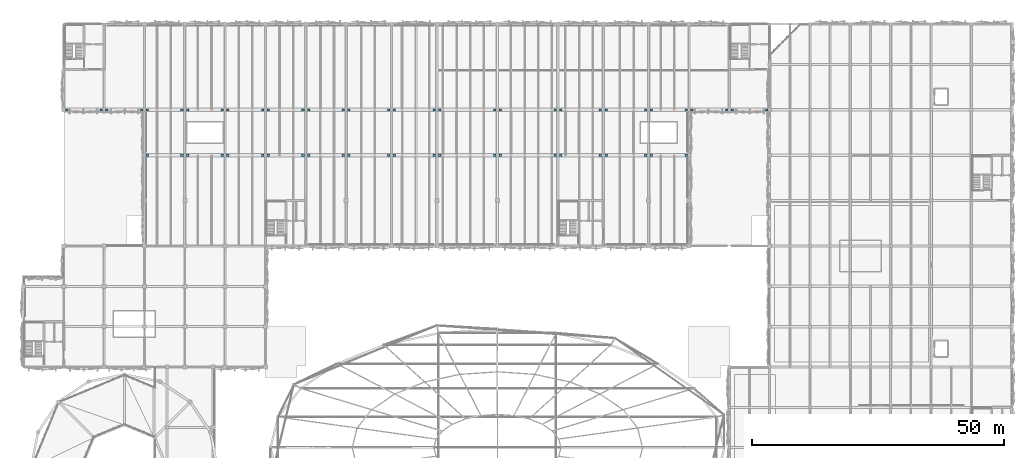
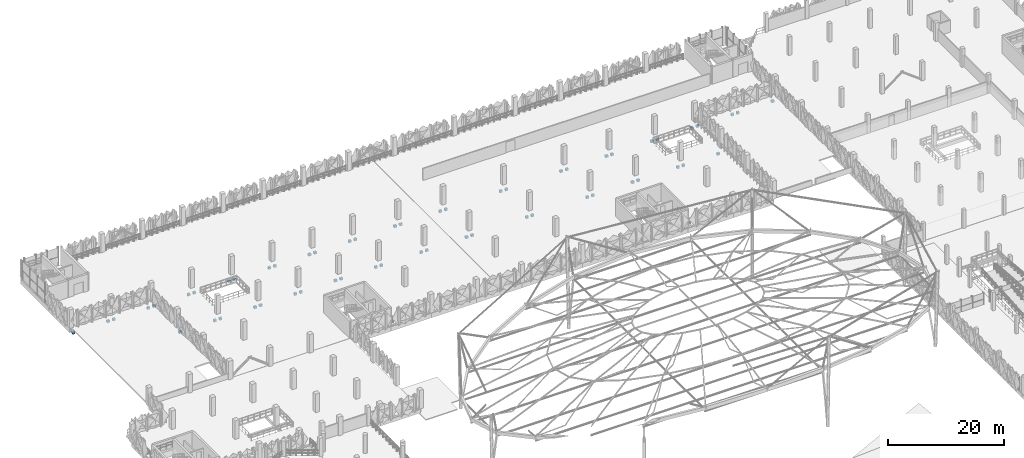
# One storey, part 62 of 96: 56 discrete accessories.
"""IFC4 building model written with IfcOpenShell, lengths in metres."""

from ifc_helpers import new_model, si_unit, derived_unit, direction, frame, origin, origin_2d, place, context, subcontext, project, spatial, rectangle, extrude, material, type_object, element, save


model = new_model("IFC4")

# Units and contexts
model_context = context("Model", 3, precision=1e-05, world=origin(), true_north=direction((0.0, 1.0)))
body_context = subcontext(model_context, "Body", "Model", "MODEL_VIEW")
ifc_project = project(units=[si_unit("LENGTHUNIT", "METRE"), si_unit("AREAUNIT", "SQUARE_METRE"), si_unit("VOLUMEUNIT", "CUBIC_METRE"), si_unit("PLANEANGLEUNIT", "RADIAN"), si_unit("MASSUNIT", "GRAM", prefix="KILO"), si_unit("THERMODYNAMICTEMPERATUREUNIT", "KELVIN"), derived_unit("THERMALTRANSMITTANCEUNIT", [(si_unit("POWERUNIT", "WATT"), 1), (si_unit("AREAUNIT", "SQUARE_METRE"), -1), (si_unit("THERMODYNAMICTEMPERATUREUNIT", "KELVIN"), -1)])], contexts=[model_context])

# Site, building, storey
site_placement = place(None, origin())
site = spatial("IfcSite", under=ifc_project, at=site_placement, CompositionType="ELEMENT")
building_placement = place(site_placement, origin())
building = spatial("IfcBuilding", under=site, at=building_placement, Name="Haiyu Intermodal Mobility Hub", CompositionType="ELEMENT")
storey_placement = place(building_placement, frame((0.0, 0.0, 9.5)))
storey = spatial("IfcBuildingStorey", under=building, at=storey_placement, Name="L02", CompositionType="ELEMENT", Elevation=9.5)

# Discrete accessories
ifc_material = material(Name="Precast concrete C50", Category="concrete")
discrete_accessory_type = type_object("IfcDiscreteAccessoryType", Name="ACC-BK01", PredefinedType="BRACKET", material=ifc_material)
for number, where, z_axis, x_axis, name in (
    (1, (38.550048828125, 122.0, -1.60498046875), (0.0, 0.0, 1.0), (1.0, 0.0, 0.0), "BRK-IT-0065"),
    (2, (45.449951171875, 122.0, -1.60498046875), (0.0, 0.0, 1.0), (1.0, 0.0, 0.0), "BRK-IT-0066"),
    (3, (46.550048828125, 122.0, -1.60498046875), (0.0, 0.0, 1.0), (1.0, 0.0, 0.0), "BRK-IT-0067"),
    (4, (53.449951171875, 122.0, -1.60498046875), (0.0, 0.0, 1.0), (1.0, 0.0, 0.0), "BRK-IT-0068"),
    (5, (54.550048828125, 122.0, -1.60498046875), (0.0, 0.0, 1.0), (1.0, 0.0, 0.0), "BRK-IT-0069"),
    (6, (61.449951171875, 122.0, -1.60498046875), (0.0, 0.0, 1.0), (1.0, 0.0, 0.0), "BRK-IT-0070"),
    (7, (62.550048828125, 122.0, -1.60498046875), (0.0, 0.0, 1.0), (1.0, 0.0, 0.0), "BRK-IT-0071"),
    (8, (69.449951171875, 122.0, -1.60498046875), (0.0, 0.0, 1.0), (1.0, 0.0, 0.0), "BRK-IT-0072"),
    (9, (70.550048828125, 122.0, -1.60498046875), (0.0, 0.0, 1.0), (1.0, 0.0, 0.0), "BRK-IT-0073"),
    (10, (77.449951171875, 122.0, -1.60498046875), (0.0, 0.0, 1.0), (1.0, 0.0, 0.0), "BRK-IT-0074"),
    (11, (78.550048828125, 122.0, -1.60498046875), (0.0, 0.0, 1.0), (1.0, 0.0, 0.0), "BRK-IT-0075"),
    (12, (86.449951171875, 122.0, -1.60498046875), (0.0, 0.0, 1.0), (1.0, 0.0, 0.0), "BRK-IT-0076"),
    (13, (87.550048828125, 122.0, -1.60498046875), (0.0, 0.0, 1.0), (1.0, 0.0, 0.0), "BRK-IT-0077"),
    (14, (95.449951171875, 122.0, -1.60498046875), (0.0, 0.0, 1.0), (1.0, 0.0, 0.0), "BRK-IT-0078"),
    (15, (96.550048828125, 122.0, -1.60498046875), (0.0, 0.0, 1.0), (1.0, 0.0, 0.0), "BRK-IT-0079"),
    (16, (107.449951171875, 122.0, -1.60498046875), (0.0, 0.0, 1.0), (1.0, 0.0, 0.0), "BRK-IT-0080"),
    (17, (108.550048828125, 122.0, -1.60498046875), (0.0, 0.0, 1.0), (1.0, 0.0, 0.0), "BRK-IT-0081"),
    (18, (119.449951171875, 122.0, -1.60498046875), (0.0, 0.0, 1.0), (1.0, 0.0, 0.0), "BRK-IT-0082"),
    (19, (120.550048828125, 122.0, -1.60498046875), (0.0, 0.0, 1.0), (1.0, 0.0, 0.0), "BRK-IT-0083"),
    (20, (128.449951171875, 122.0, -1.60498046875), (0.0, 0.0, 1.0), (1.0, 0.0, 0.0), "BRK-IT-0084"),
    (21, (129.550048828125, 122.0, -1.60498046875), (0.0, 0.0, 1.0), (1.0, 0.0, 0.0), "BRK-IT-0085"),
    (22, (137.449951171875, 122.0, -1.60498046875), (0.0, 0.0, 1.0), (1.0, 0.0, 0.0), "BRK-IT-0086"),
    (23, (138.550048828125, 122.0, -1.60498046875), (0.0, 0.0, 1.0), (1.0, 0.0, 0.0), "BRK-IT-0087"),
    (24, (145.449951171875, 122.0, -1.60498046875), (0.0, 0.0, 1.0), (1.0, 0.0, 0.0), "BRK-IT-0088"),
    (25, (22.550048828125, 131.0, -1.60498046875), (0.0, 0.0, 1.0), (1.0, 0.0, 0.0), "BRK-IT-0089"),
    (26, (29.449951171875, 131.0, -1.60498046875), (0.0, 0.0, 1.0), (1.0, 0.0, 0.0), "BRK-IT-0090"),
    (27, (30.550048828125, 131.0, -1.60498046875), (0.0, 0.0, 1.0), (1.0, 0.0, 0.0), "BRK-IT-0091"),
    (28, (37.449951171875, 131.0, -1.60498046875), (0.0, 0.0, 1.0), (1.0, 0.0, 0.0), "BRK-IT-0092"),
    (29, (38.550048828125, 131.0, -1.60498046875), (0.0, 0.0, 1.0), (1.0, 0.0, 0.0), "BRK-IT-0093"),
    (30, (45.449951171875, 131.0, -1.60498046875), (0.0, 0.0, 1.0), (1.0, 0.0, 0.0), "BRK-IT-0094"),
    (31, (46.550048828125, 131.0, -1.60498046875), (0.0, 0.0, 1.0), (1.0, 0.0, 0.0), "BRK-IT-0095"),
    (32, (53.449951171875, 131.0, -1.60498046875), (0.0, 0.0, 1.0), (1.0, 0.0, 0.0), "BRK-IT-0096"),
    (33, (54.550048828125, 131.0, -1.60498046875), (0.0, 0.0, 1.0), (1.0, 0.0, 0.0), "BRK-IT-0097"),
    (34, (61.449951171875, 131.0, -1.60498046875), (0.0, 0.0, 1.0), (1.0, 0.0, 0.0), "BRK-IT-0098"),
    (35, (62.550048828125, 131.0, -1.60498046875), (0.0, 0.0, 1.0), (1.0, 0.0, 0.0), "BRK-IT-0099"),
    (36, (69.449951171875, 131.0, -1.60498046875), (0.0, 0.0, 1.0), (1.0, 0.0, 0.0), "BRK-IT-0100"),
    (37, (70.550048828125, 131.0, -1.60498046875), (0.0, 0.0, 1.0), (1.0, 0.0, 0.0), "BRK-IT-0101"),
    (38, (77.449951171875, 131.0, -1.60498046875), (0.0, 0.0, 1.0), (1.0, 0.0, 0.0), "BRK-IT-0102"),
    (39, (78.550048828125, 131.0, -1.60498046875), (0.0, 0.0, 1.0), (1.0, 0.0, 0.0), "BRK-IT-0103"),
    (40, (86.449951171875, 131.0, -1.60498046875), (0.0, 0.0, 1.0), (1.0, 0.0, 0.0), "BRK-IT-0104"),
    (41, (87.550048828125, 131.0, -1.60498046875), (0.0, 0.0, 1.0), (1.0, 0.0, 0.0), "BRK-IT-0105"),
    (42, (95.449951171875, 131.0, -1.60498046875), (0.0, 0.0, 1.0), (1.0, 0.0, 0.0), "BRK-IT-0106"),
    (43, (96.550048828125, 131.0, -1.60498046875), (0.0, 0.0, 1.0), (1.0, 0.0, 0.0), "BRK-IT-0107"),
    (44, (107.449951171875, 131.0, -1.60498046875), (0.0, 0.0, 1.0), (1.0, 0.0, 0.0), "BRK-IT-0108"),
    (45, (108.550048828125, 131.0, -1.60498046875), (0.0, 0.0, 1.0), (1.0, 0.0, 0.0), "BRK-IT-0109"),
    (46, (119.449951171875, 131.0, -1.60498046875), (0.0, 0.0, 1.0), (1.0, 0.0, 0.0), "BRK-IT-0110"),
    (47, (120.550048828125, 131.0, -1.60498046875), (0.0, 0.0, 1.0), (1.0, 0.0, 0.0), "BRK-IT-0111"),
    (48, (128.449951171875, 131.0, -1.60498046875), (0.0, 0.0, 1.0), (1.0, 0.0, 0.0), "BRK-IT-0112"),
    (49, (129.550048828125, 131.0, -1.60498046875), (0.0, 0.0, 1.0), (1.0, 0.0, 0.0), "BRK-IT-0113"),
    (50, (137.449951171875, 131.0, -1.60498046875), (0.0, 0.0, 1.0), (1.0, 0.0, 0.0), "BRK-IT-0114"),
    (51, (138.550048828125, 131.0, -1.60498046875), (0.0, 0.0, 1.0), (1.0, 0.0, 0.0), "BRK-IT-0115"),
    (52, (145.449951171875, 131.0, -1.60498046875), (0.0, 0.0, 1.0), (1.0, 0.0, 0.0), "BRK-IT-0116"),
    (53, (146.550048828125, 131.0, -1.60498046875), (0.0, 0.0, 1.0), (1.0, 0.0, 0.0), "BRK-IT-0117"),
    (54, (153.449951171875, 131.0, -1.60498046875), (0.0, 0.0, 1.0), (1.0, 0.0, 0.0), "BRK-IT-0118"),
    (55, (154.550048828125, 131.0, -1.60498046875), (0.0, 0.0, 1.0), (1.0, 0.0, 0.0), "BRK-IT-0119"),
    (56, (161.449951171875, 131.0, -1.60498046875), (0.0, 0.0, 1.0), (1.0, 0.0, 0.0), "BRK-IT-0120"),
):
    element("IfcDiscreteAccessory", number, at=place(storey_placement, frame(where, z_axis=z_axis, x_axis=x_axis)), inside=storey, type_object=discrete_accessory_type, Name=name, PredefinedType="BRACKET", context=body_context, shape_type="SweptSolid", body=[
        extrude(rectangle(XDim=0.5, YDim=0.419921875, at=origin_2d()), origin(), (0.0, 0.0, 1.0), 0.449951171875),
    ])

save(model, "model.ifc")
